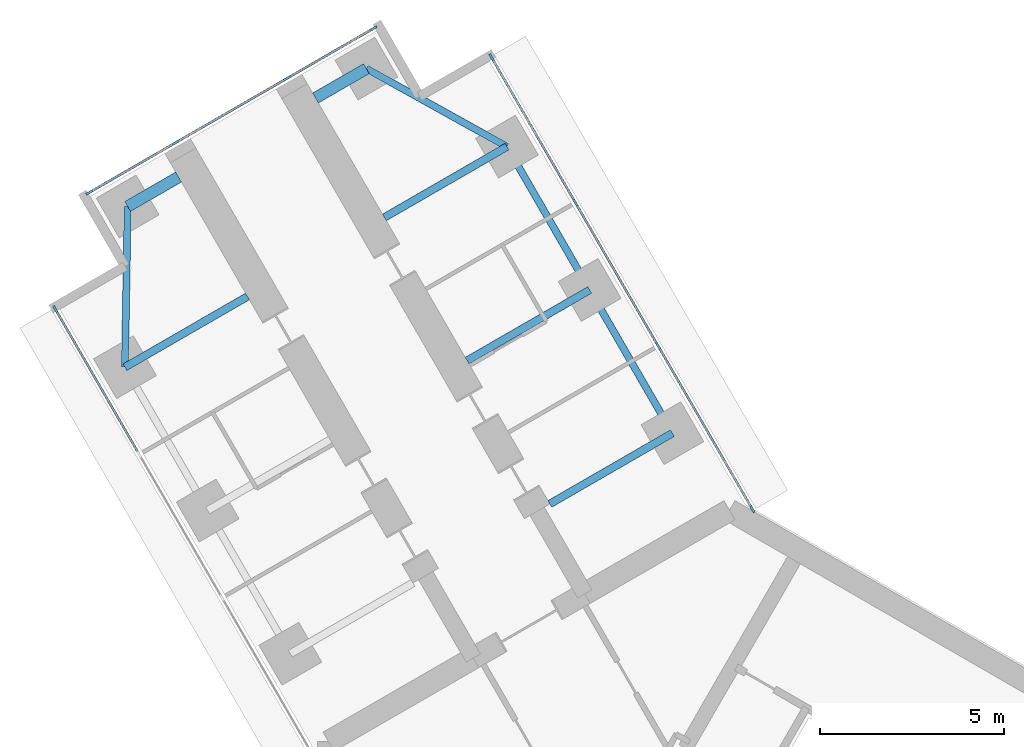
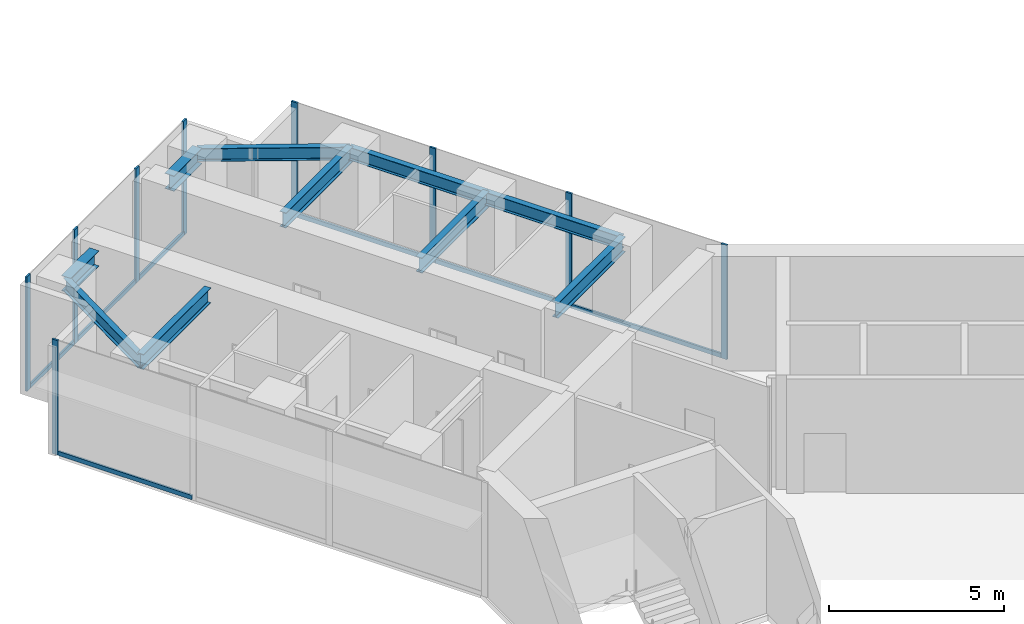
# One storey, part 6 of 23: 16 members, 10 beams, 3 elements without a shape of their own.
"""IFC4 building model written with IfcOpenShell, lengths in metres."""

from ifc_helpers import new_model, si_unit, direction, frame, origin, origin_2d, place, context, subcontext, project, spatial, rectangle, i_section, extrude, material, material_profile, profile_set, type_object, element, aggregate, save


model = new_model("IFC4")

# Units and contexts
model_context = context("Model", 3, precision=1e-05, world=origin(), true_north=direction((0.0, 1.0)))
body_context = subcontext(model_context, "Body", "Model", "MODEL_VIEW")
ifc_project = project(units=[si_unit("LENGTHUNIT", "METRE"), si_unit("AREAUNIT", "SQUARE_METRE"), si_unit("VOLUMEUNIT", "CUBIC_METRE"), si_unit("PLANEANGLEUNIT", "RADIAN"), si_unit("MASSUNIT", "GRAM", prefix="KILO")], contexts=[model_context])

# Site, building, storey
site_placement = place(None, origin())
site = spatial("IfcSite", under=ifc_project, at=site_placement, CompositionType="ELEMENT")
building_placement = place(site_placement, origin())
building = spatial("IfcBuilding", under=site, at=building_placement, Name="Upepo Twin Towers", CompositionType="ELEMENT")
storey_placement = place(building_placement, frame((0.0, 0.0, 149.5)))
storey = spatial("IfcBuildingStorey", under=building, at=storey_placement, Name="L36", CompositionType="ELEMENT", Elevation=149.5)

# Beams
ifc_material_1 = material(Name="Steel S355", Category="steel")
ifc_material_profile_1 = material_profile(ifc_material_1, i_section(OverallWidth=0.1904296875, OverallDepth=0.45703125, WebThickness=0.009033203125, FlangeThickness=0.014404296875, FilletRadius=0.01025390625, at=origin_2d()), Name="UB 457x191x74")
ifc_profile_set_1 = profile_set([ifc_material_profile_1], Name="Steel S355")
beam_type_1 = type_object("IfcBeamType", Name="Beam UB 457x191x74", PredefinedType="BEAM", material=ifc_profile_set_1)
beam_1_placement = place(storey_placement, frame((-16.446044921875, 16.485595703125, 3.571533203125), z_axis=(0.016803880528, 0.999858804832, 0.0), x_axis=(-0.999858804832, 0.016803880528, 0.0)))
element("IfcBeam", 1, at=beam_1_placement, inside=storey, type_object=beam_type_1, Name="T1 nose edge beam BL", PredefinedType="BEAM", context=body_context, shape_type="SweptSolid", body=[
    extrude(i_section(OverallWidth=0.1904296875, OverallDepth=0.45703125, WebThickness=0.009033203125, FlangeThickness=0.014404296875, FilletRadius=0.01025390625, at=origin_2d()), origin(), (0.0, 0.0, 1.0), 4.373291015625),
])
beam_2_placement = place(storey_placement, frame((-1.553955078125, 14.69140625, 3.571533203125), z_axis=(-0.500013631625, 0.866017533419, 0.0), x_axis=(-0.866017533419, -0.500013631625, 0.0)))
element("IfcBeam", 2, at=beam_2_placement, inside=storey, type_object=beam_type_1, Name="T1 edge beam BR 13.5-18.0", PredefinedType="BEAM", context=body_context, shape_type="SweptSolid", body=[
    extrude(i_section(OverallWidth=0.1904296875, OverallDepth=0.45703125, WebThickness=0.009033203125, FlangeThickness=0.014404296875, FilletRadius=0.01025390625, at=origin_2d()), origin(), (0.0, 0.0, 1.0), 4.499755859375),
])
beam_3_placement = place(storey_placement, frame((-3.803955078125, 18.58837890625, 3.571533203125), z_axis=(-0.499990139034, 0.866031096941, 0.0), x_axis=(-0.866031096941, -0.499990139034, 0.0)))
element("IfcBeam", 3, at=beam_3_placement, inside=storey, type_object=beam_type_1, Name="T1 edge beam BR 18.0-22.5", PredefinedType="BEAM", context=body_context, shape_type="SweptSolid", body=[
    extrude(i_section(OverallWidth=0.1904296875, OverallDepth=0.45703125, WebThickness=0.009033203125, FlangeThickness=0.014404296875, FilletRadius=0.01025390625, at=origin_2d()), origin(), (0.0, 0.0, 1.0), 4.5),
])
beam_4_placement = place(storey_placement, frame((-6.053955078125, 22.485595703125, 3.571533203125), z_axis=(-0.874312600038, 0.485363242752, 0.0), x_axis=(-0.485363242752, -0.874312600038, 0.0)))
element("IfcBeam", 4, at=beam_4_placement, inside=storey, type_object=beam_type_1, Name="T1 nose edge beam BR", PredefinedType="BEAM", context=body_context, shape_type="SweptSolid", body=[
    extrude(i_section(OverallWidth=0.1904296875, OverallDepth=0.45703125, WebThickness=0.009033203125, FlangeThickness=0.014404296875, FilletRadius=0.01025390625, at=origin_2d()), origin(), (0.0, 0.0, 1.0), 4.373046875),
])
ifc_material_2 = material(Name="Steel S355", Category="steel")
ifc_material_profile_2 = material_profile(ifc_material_2, i_section(OverallWidth=0.209228515625, OverallDepth=0.533203125, WebThickness=0.010009765625, FlangeThickness=0.015625, FilletRadius=0.0126953125, at=origin_2d()), Name="UB 533x210x92")
ifc_profile_set_2 = profile_set([ifc_material_profile_2], Name="Steel S355")
beam_type_2 = type_object("IfcBeamType", Name="Beam UB 533x210x92", PredefinedType="BEAM", material=ifc_profile_set_2)
for number, where, z_axis, x_axis, name in (
    (5, (-16.446044921875, 16.485595703125, 3.533447265625), (0.866006051527, 0.500033517596, 0.0), (-0.500033517596, 0.866006051527, 0.0), "T1 girder BL at 22.5"),
    (6, (-1.553955078125, 14.69140625, 3.533447265625), (-0.866006051527, -0.500033517596, 0.0), (0.500033517596, -0.866006051527, 0.0), "T1 girder BR at 13.5"),
):
    element("IfcBeam", number, at=place(storey_placement, frame(where, z_axis=z_axis, x_axis=x_axis)), inside=storey, type_object=beam_type_2, Name=name, PredefinedType="BEAM", context=body_context, shape_type="SweptSolid", body=[
        extrude(i_section(OverallWidth=0.209228515625, OverallDepth=0.533203125, WebThickness=0.010009765625, FlangeThickness=0.015625, FilletRadius=0.0126953125, at=origin_2d()), origin(), (0.0, 0.0, 1.0), 3.849853515625),
    ])
beam_5_placement = place(storey_placement, frame((-3.803955078125, 18.58837890625, 3.533447265625), z_axis=(-0.866033512162, -0.499985955615, 0.0), x_axis=(0.499985955615, -0.866033512162, 0.0)))
element("IfcBeam", 7, at=beam_5_placement, inside=storey, type_object=beam_type_2, Name="T1 girder BR at 18.0", PredefinedType="BEAM", context=body_context, shape_type="SweptSolid", body=[
    extrude(i_section(OverallWidth=0.209228515625, OverallDepth=0.533203125, WebThickness=0.010009765625, FlangeThickness=0.015625, FilletRadius=0.0126953125, at=origin_2d()), origin(), (0.0, 0.0, 1.0), 3.849609375),
])
beam_6_placement = place(storey_placement, frame((-6.053955078125, 22.485595703125, 3.533447265625), z_axis=(-0.866006051527, -0.500033517596, 0.0), x_axis=(0.500033517596, -0.866006051527, 0.0)))
element("IfcBeam", 8, at=beam_6_placement, inside=storey, type_object=beam_type_2, Name="T1 girder BR at 22.5", PredefinedType="BEAM", context=body_context, shape_type="SweptSolid", body=[
    extrude(i_section(OverallWidth=0.209228515625, OverallDepth=0.533203125, WebThickness=0.010009765625, FlangeThickness=0.015625, FilletRadius=0.0126953125, at=origin_2d()), origin(), (0.0, 0.0, 1.0), 3.849853515625),
])
ifc_material_3 = material(Name="Steel S355", Category="steel")
ifc_material_profile_3 = material_profile(ifc_material_3, i_section(OverallWidth=0.31201171875, OverallDepth=0.54345703125, WebThickness=0.0126953125, FlangeThickness=0.020263671875, FilletRadius=0.0126953125, at=origin_2d()), Name="UB 533x312x150")
ifc_profile_set_3 = profile_set([ifc_material_profile_3], Name="Steel S355")
beam_type_3 = type_object("IfcBeamType", Name="Beam UB 533x312x150", PredefinedType="BEAM", material=ifc_profile_set_3)
for number, where, z_axis, x_axis, name in (
    (9, (-16.37255859375, 20.858154296875, 3.5283203125), (0.865989903783, 0.500061482766, 0.0), (-0.500061482766, 0.865989903783, 0.0), "T1 nose beam BL"),
    (10, (-9.87744140625, 24.608154296875, 3.5283203125), (-0.865989903783, -0.500061482766, 0.0), (0.500061482766, -0.865989903783, 0.0), "T1 nose beam BR"),
):
    element("IfcBeam", number, at=place(storey_placement, frame(where, z_axis=z_axis, x_axis=x_axis)), inside=storey, type_object=beam_type_3, Name=name, PredefinedType="BEAM", context=body_context, shape_type="SweptSolid", body=[
        extrude(i_section(OverallWidth=0.31201171875, OverallDepth=0.54345703125, WebThickness=0.0126953125, FlangeThickness=0.020263671875, FilletRadius=0.0126953125, at=origin_2d()), origin(), (0.0, 0.0, 1.0), 1.599853515625),
    ])

# Curtain wall, member
ifc_material_4 = material(Name="Aluminium and fritted glass", Category="aluminium")
curtain_wall_type = type_object("IfcCurtainWallType", Name="Tower curtain wall TW2, fritted glass", PredefinedType="NOTDEFINED", material=ifc_material_4)
curtain_wall_1_placement = place(storey_placement, origin())
curtain_wall_1 = element("IfcCurtainWall", 11, at=curtain_wall_1_placement, inside=storey, type_object=curtain_wall_type, Name="T1 L36 wing B flank L curtain wall", PredefinedType="NOTDEFINED")
ifc_material_5 = material(Name="Aluminium mullion", Category="aluminium")
ifc_material_profile_4 = material_profile(ifc_material_5, rectangle(XDim=0.06494140625, YDim=0.199951171875, at=origin_2d()), Name="MULLION 65x200")
ifc_profile_set_4 = profile_set([ifc_material_profile_4], Name="Aluminium mullion")
member_type_1 = type_object("IfcMemberType", Name="Mullion 65x200 TW2", PredefinedType="MULLION", material=ifc_profile_set_4)
member_1_placement = place(storey_placement, frame((-18.341064453125, 18.067626953125, 0.0), z_axis=(0.0, 0.0, 1.0), x_axis=(-0.866025397833, -0.500000010308, 0.0)))
member_1 = element("IfcMember", 12, at=member_1_placement, type_object=member_type_1, Name="T1 L36 wing B flank L curtain wall mullion 4", PredefinedType="MULLION", context=body_context, shape_type="SweptSolid", body=[
    extrude(rectangle(XDim=0.06494140625, YDim=0.199951171875, at=origin_2d()), origin(), (0.0, 0.0, 1.0), 4.0),
])

# Curtain wall, members
curtain_wall_2_placement = place(storey_placement, origin())
curtain_wall_2 = element("IfcCurtainWall", 13, at=curtain_wall_2_placement, inside=storey, type_object=curtain_wall_type, Name="T1 L36 wing B flank R curtain wall", PredefinedType="NOTDEFINED")
member_2_placement = place(storey_placement, frame((-6.4765625, 24.91748046875, 0.0), z_axis=(0.0, 0.0, 1.0), x_axis=(0.866025397833, 0.500000010308, 0.0)))
member_2 = element("IfcMember", 14, at=member_2_placement, type_object=member_type_1, Name="T1 L36 wing B flank R curtain wall mullion 1", PredefinedType="MULLION", context=body_context, shape_type="SweptSolid", body=[
    extrude(rectangle(XDim=0.06494140625, YDim=0.199951171875, at=origin_2d()), origin(), (0.0, 0.0, 1.0), 4.0),
])
member_3_placement = place(storey_placement, frame((-4.192626953125, 20.9619140625, 0.0), z_axis=(0.0, 0.0, 1.0), x_axis=(0.866025397833, 0.500000010308, 0.0)))
member_3 = element("IfcMember", 15, at=member_3_placement, type_object=member_type_1, Name="T1 L36 wing B flank R curtain wall mullion 2", PredefinedType="MULLION", context=body_context, shape_type="SweptSolid", body=[
    extrude(rectangle(XDim=0.06494140625, YDim=0.199951171875, at=origin_2d()), origin(), (0.0, 0.0, 1.0), 4.0),
])
member_4_placement = place(storey_placement, frame((-1.942626953125, 17.06494140625, 0.0), z_axis=(0.0, 0.0, 1.0), x_axis=(0.866025397833, 0.500000010308, 0.0)))
member_4 = element("IfcMember", 16, at=member_4_placement, type_object=member_type_1, Name="T1 L36 wing B flank R curtain wall mullion 3", PredefinedType="MULLION", context=body_context, shape_type="SweptSolid", body=[
    extrude(rectangle(XDim=0.06494140625, YDim=0.199951171875, at=origin_2d()), origin(), (0.0, 0.0, 1.0), 4.0),
])
member_5_placement = place(storey_placement, frame((0.62255859375, 12.621826171875, 0.0), z_axis=(0.0, 0.0, 1.0), x_axis=(0.866025397833, 0.500000010308, 0.0)))
member_5 = element("IfcMember", 17, at=member_5_placement, type_object=member_type_1, Name="T1 L36 wing B flank R curtain wall mullion 4", PredefinedType="MULLION", context=body_context, shape_type="SweptSolid", body=[
    extrude(rectangle(XDim=0.06494140625, YDim=0.199951171875, at=origin_2d()), origin(), (0.0, 0.0, 1.0), 4.0),
])

curtain_wall_3_placement = place(storey_placement, origin())
curtain_wall_3 = element("IfcCurtainWall", 18, at=curtain_wall_3_placement, inside=storey, type_object=curtain_wall_type, Name="T1 L36 wing B nose curtain wall", PredefinedType="NOTDEFINED")
member_6_placement = place(storey_placement, frame((-9.68115234375, 25.703125, 0.0), z_axis=(0.0, 0.0, 1.0), x_axis=(0.500000030502, -0.866025386174, 0.0)))
member_6 = element("IfcMember", 19, at=member_6_placement, type_object=member_type_1, Name="T1 L36 wing B nose curtain wall mullion 1", PredefinedType="MULLION", context=body_context, shape_type="SweptSolid", body=[
    extrude(rectangle(XDim=0.06494140625, YDim=0.199951171875, at=origin_2d()), origin(), (0.0, 0.0, 1.0), 4.0),
])
member_7_placement = place(storey_placement, frame((-12.034423828125, 24.34423828125, 0.0), z_axis=(0.0, 0.0, 1.0), x_axis=(0.500000030502, -0.866025386174, 0.0)))
member_7 = element("IfcMember", 20, at=member_7_placement, type_object=member_type_1, Name="T1 L36 wing B nose curtain wall mullion 2", PredefinedType="MULLION", context=body_context, shape_type="SweptSolid", body=[
    extrude(rectangle(XDim=0.06494140625, YDim=0.199951171875, at=origin_2d()), origin(), (0.0, 0.0, 1.0), 4.0),
])
member_8_placement = place(storey_placement, frame((-15.0654296875, 22.59423828125, 0.0), z_axis=(0.0, 0.0, 1.0), x_axis=(0.500000030502, -0.866025386174, 0.0)))
member_8 = element("IfcMember", 21, at=member_8_placement, type_object=member_type_1, Name="T1 L36 wing B nose curtain wall mullion 3", PredefinedType="MULLION", context=body_context, shape_type="SweptSolid", body=[
    extrude(rectangle(XDim=0.06494140625, YDim=0.199951171875, at=origin_2d()), origin(), (0.0, 0.0, 1.0), 4.0),
])
member_9_placement = place(storey_placement, frame((-17.4189453125, 21.235595703125, 0.0), z_axis=(0.0, 0.0, 1.0), x_axis=(0.500000030502, -0.866025386174, 0.0)))
member_9 = element("IfcMember", 22, at=member_9_placement, type_object=member_type_1, Name="T1 L36 wing B nose curtain wall mullion 4", PredefinedType="MULLION", context=body_context, shape_type="SweptSolid", body=[
    extrude(rectangle(XDim=0.06494140625, YDim=0.199951171875, at=origin_2d()), origin(), (0.0, 0.0, 1.0), 4.0),
])

# Member
ifc_material_6 = material(Name="Aluminium transom", Category="aluminium")
ifc_material_profile_5 = material_profile(ifc_material_6, rectangle(XDim=0.06494140625, YDim=0.14990234375, at=origin_2d()), Name="TRANSOM 65x150")
ifc_profile_set_5 = profile_set([ifc_material_profile_5], Name="Aluminium transom")
member_type_2 = type_object("IfcMemberType", Name="Transom 65x150 TW2", PredefinedType="USERDEFINED", material=ifc_profile_set_5)
member_10_placement = place(storey_placement, frame((-16.073486328125, 14.14013671875, 0.074951171875), z_axis=(-0.499982167615, 0.866035699072, 0.0), x_axis=(-0.866035699072, -0.499982167615, 0.0)))
member_10 = element("IfcMember", 23, at=member_10_placement, type_object=member_type_2, Name="T1 L36 wing B flank L curtain wall transom 3", ObjectType="TRANSOM", PredefinedType="USERDEFINED", context=body_context, shape_type="SweptSolid", body=[
    extrude(rectangle(XDim=0.06494140625, YDim=0.14990234375, at=origin_2d()), origin(), (0.0, 0.0, 1.0), 4.502685546875),
])

aggregate(curtain_wall_1, [member_1, member_10])

member_11_placement = place(storey_placement, frame((-6.460205078125, 24.889404296875, 0.074951171875), z_axis=(0.500005646842, -0.866022143554, 0.0), x_axis=(0.866022143554, 0.500005646842, 0.0)))
member_11 = element("IfcMember", 24, at=member_11_placement, type_object=member_type_2, Name="T1 L36 wing B flank R curtain wall transom 1", ObjectType="TRANSOM", PredefinedType="USERDEFINED", context=body_context, shape_type="SweptSolid", body=[
    extrude(rectangle(XDim=0.06494140625, YDim=0.14990234375, at=origin_2d()), origin(), (0.0, 0.0, 1.0), 4.50244140625),
])

member_12_placement = place(storey_placement, frame((-4.176513671875, 20.933837890625, 0.074951171875), z_axis=(0.500005184116, -0.866022410713, 0.0), x_axis=(0.866022410713, 0.500005184116, 0.0)))
member_12 = element("IfcMember", 25, at=member_12_placement, type_object=member_type_2, Name="T1 L36 wing B flank R curtain wall transom 2", ObjectType="TRANSOM", PredefinedType="USERDEFINED", context=body_context, shape_type="SweptSolid", body=[
    extrude(rectangle(XDim=0.06494140625, YDim=0.14990234375, at=origin_2d()), origin(), (0.0, 0.0, 1.0), 4.43505859375),
])

member_13_placement = place(storey_placement, frame((-1.926513671875, 17.036865234375, 0.074951171875), z_axis=(0.499985288567, -0.866033897268, 0.0), x_axis=(0.866033897268, 0.499985288567, 0.0)))
member_13 = element("IfcMember", 26, at=member_13_placement, type_object=member_type_2, Name="T1 L36 wing B flank R curtain wall transom 3", ObjectType="TRANSOM", PredefinedType="USERDEFINED", context=body_context, shape_type="SweptSolid", body=[
    extrude(rectangle(XDim=0.06494140625, YDim=0.14990234375, at=origin_2d()), origin(), (0.0, 0.0, 1.0), 5.065673828125),
])

aggregate(curtain_wall_2, [member_2, member_3, member_4, member_5, member_11, member_12, member_13])

member_14_placement = place(storey_placement, frame((-9.709228515625, 25.686767578125, 0.074951171875), z_axis=(-0.866036909293, -0.499980071345, 0.0), x_axis=(0.499980071345, -0.866036909293, 0.0)))
member_14 = element("IfcMember", 27, at=member_14_placement, type_object=member_type_2, Name="T1 L36 wing B nose curtain wall transom 1", ObjectType="TRANSOM", PredefinedType="USERDEFINED", context=body_context, shape_type="SweptSolid", body=[
    extrude(rectangle(XDim=0.06494140625, YDim=0.14990234375, at=origin_2d()), origin(), (0.0, 0.0, 1.0), 2.65234375),
])

member_15_placement = place(storey_placement, frame((-12.0625, 24.328125, 0.074951171875), z_axis=(-0.866025804792, -0.499999305434, 0.0), x_axis=(0.499999305434, -0.866025804792, 0.0)))
member_15 = element("IfcMember", 28, at=member_15_placement, type_object=member_type_2, Name="T1 L36 wing B nose curtain wall transom 2", ObjectType="TRANSOM", PredefinedType="USERDEFINED", context=body_context, shape_type="SweptSolid", body=[
    extrude(rectangle(XDim=0.06494140625, YDim=0.14990234375, at=origin_2d()), origin(), (0.0, 0.0, 1.0), 3.43505859375),
])

member_16_placement = place(storey_placement, frame((-15.09375, 22.578125, 0.074951171875), z_axis=(-0.865997053448, -0.500049101008, 0.0), x_axis=(0.500049101008, -0.865997053448, 0.0)))
member_16 = element("IfcMember", 29, at=member_16_placement, type_object=member_type_2, Name="T1 L36 wing B nose curtain wall transom 3", ObjectType="TRANSOM", PredefinedType="USERDEFINED", context=body_context, shape_type="SweptSolid", body=[
    extrude(rectangle(XDim=0.06494140625, YDim=0.14990234375, at=origin_2d()), origin(), (0.0, 0.0, 1.0), 2.652587890625),
])

aggregate(curtain_wall_3, [member_6, member_7, member_8, member_9, member_14, member_15, member_16])

save(model, "model.ifc")
